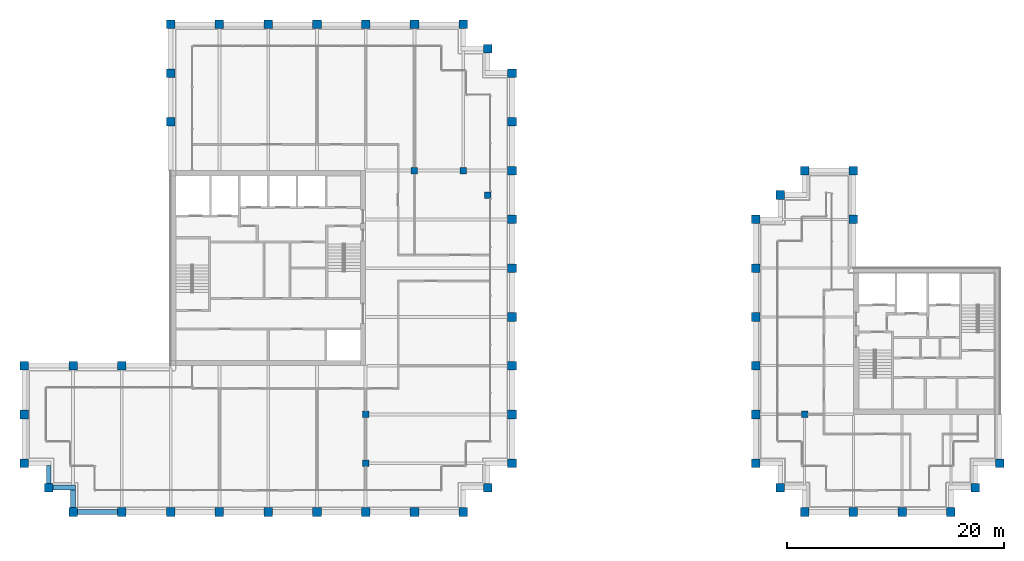
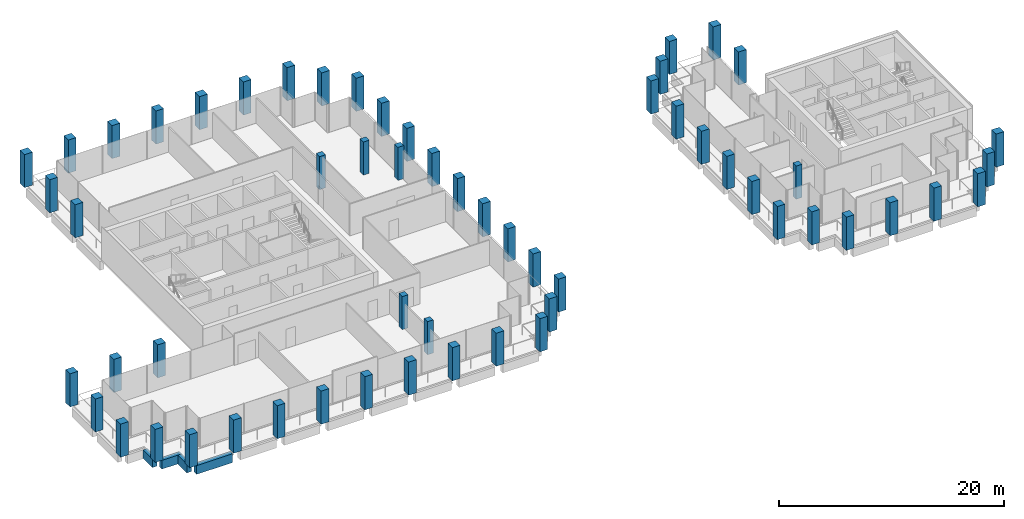
# One storey, part 1 of 40: 58 columns, 4 beams.
"""IFC4 building model written with IfcOpenShell, lengths in metres."""

from ifc_helpers import new_model, si_unit, direction, frame, origin, origin_2d, place, context, subcontext, project, spatial, rectangle, extrude, material, material_profile, profile_set, type_object, element, save


model = new_model("IFC4")

# Units and contexts
model_context = context("Model", 3, precision=1e-05, world=origin(), true_north=direction((0.0, 1.0)))
body_context = subcontext(model_context, "Body", "Model", "MODEL_VIEW")
ifc_project = project(units=[si_unit("LENGTHUNIT", "METRE"), si_unit("AREAUNIT", "SQUARE_METRE"), si_unit("VOLUMEUNIT", "CUBIC_METRE"), si_unit("PLANEANGLEUNIT", "RADIAN"), si_unit("MASSUNIT", "GRAM", prefix="KILO")], contexts=[model_context])

# Site, building, storey
site_placement = place(None, origin())
site = spatial("IfcSite", under=ifc_project, at=site_placement, CompositionType="ELEMENT")
building_placement = place(site_placement, origin())
building = spatial("IfcBuilding", under=site, at=building_placement, Name="Altepetl Exchange Towers", CompositionType="ELEMENT")
storey_placement = place(building_placement, frame((0.0, 0.0, 202.800048828125)))
storey = spatial("IfcBuildingStorey", under=building, at=storey_placement, Name="L51", CompositionType="ELEMENT", Elevation=202.800048828125)

# Columns
ifc_material_1 = material(Name="Concrete C70/85", Category="concrete")
ifc_material_profile_1 = material_profile(ifc_material_1, rectangle(XDim=0.60009765625, YDim=0.60009765625, at=origin_2d()), Name="600 x 600")
ifc_profile_set_1 = profile_set([ifc_material_profile_1], Name="Concrete C70/85")
column_type_1 = type_object("IfcColumnType", Name="Interior column 600", PredefinedType="COLUMN", material=ifc_profile_set_1)
for number, where, name in (
    (1, (58.5, 31.5, 0.0), "col:A:L51:035"),
    (2, (58.5, 36.0, 0.0), "col:A:L51:036"),
    (3, (63.0, 58.5, 0.0), "col:A:L51:037"),
    (4, (67.5, 58.5, 0.0), "col:A:L51:038"),
    (5, (69.75, 56.25, 0.0), "col:A:L51:039"),
    (6, (99.0, 36.0, 0.0), "col:B:L51:017"),
):
    element("IfcColumn", number, at=place(storey_placement, frame(where)), inside=storey, type_object=column_type_1, Name=name, PredefinedType="COLUMN", context=body_context, shape_type="SweptSolid", body=[
        extrude(rectangle(XDim=0.60009765625, YDim=0.60009765625, at=origin_2d()), origin(), (0.0, 0.0, 1.0), 3.599853515625),
    ])
ifc_material_2 = material(Name="Concrete C70/85 precast with cantera amarilla facing", Category="concrete")
ifc_material_profile_2 = material_profile(ifc_material_2, rectangle(XDim=0.800048828125, YDim=0.800048828125, at=origin_2d()), Name="800 x 800")
ifc_profile_set_2 = profile_set([ifc_material_profile_2], Name="Concrete C70/85 precast with cantera amarilla facing")
column_type_2 = type_object("IfcColumnType", Name="Perimeter column 800 cantera amarilla", PredefinedType="COLUMN", material=ifc_profile_set_2)
for number, where, name in (
    (7, (58.5, 27.0, 0.0), "col:A:L51:006"),
    (8, (63.0, 27.0, 0.0), "col:A:L51:007"),
    (9, (67.5, 27.0, 0.0), "col:A:L51:008"),
    (10, (69.75, 29.25, 0.0), "col:A:L51:009"),
    (11, (72.0, 31.5, 0.0), "col:A:L51:010"),
    (12, (72.0, 36.0, 0.0), "col:A:L51:011"),
    (13, (72.0, 40.5, 0.0), "col:A:L51:012"),
    (14, (72.0, 45.0, 0.0), "col:A:L51:013"),
    (15, (72.0, 49.5, 0.0), "col:A:L51:014"),
    (16, (72.0, 54.0, 0.0), "col:A:L51:015"),
):
    element("IfcColumn", number, at=place(storey_placement, frame(where)), inside=storey, type_object=column_type_2, Name=name, PredefinedType="COLUMN", context=body_context, shape_type="SweptSolid", body=[
        extrude(rectangle(XDim=0.800048828125, YDim=0.800048828125, at=origin_2d()), origin(), (0.0, 0.0, 1.0), 3.599853515625),
    ])
ifc_material_3 = material(Name="Concrete C70/85 precast with cantera blanca facing", Category="concrete")
ifc_material_profile_3 = material_profile(ifc_material_3, rectangle(XDim=0.800048828125, YDim=0.800048828125, at=origin_2d()), Name="800 x 800")
ifc_profile_set_3 = profile_set([ifc_material_profile_3], Name="Concrete C70/85 precast with cantera blanca facing")
column_type_3 = type_object("IfcColumnType", Name="Perimeter column 800 cantera blanca", PredefinedType="COLUMN", material=ifc_profile_set_3)
for number, where, name in (
    (17, (31.5, 27.0, 0.0), "col:A:L51:000"),
    (18, (36.0, 27.0, 0.0), "col:A:L51:001"),
    (19, (40.5, 27.0, 0.0), "col:A:L51:002"),
    (20, (45.0, 27.0, 0.0), "col:A:L51:003"),
    (21, (49.5, 27.0, 0.0), "col:A:L51:004"),
    (22, (54.0, 27.0, 0.0), "col:A:L51:005"),
    (23, (27.0, 36.0, 0.0), "col:A:L51:032"),
    (24, (27.0, 31.5, 0.0), "col:A:L51:033"),
    (25, (29.25, 29.25, 0.0), "col:A:L51:034"),
    (26, (117.0, 31.5, 0.0), "col:B:L51:005"),
):
    element("IfcColumn", number, at=place(storey_placement, frame(where)), inside=storey, type_object=column_type_3, Name=name, PredefinedType="COLUMN", context=body_context, shape_type="SweptSolid", body=[
        extrude(rectangle(XDim=0.800048828125, YDim=0.800048828125, at=origin_2d()), origin(), (0.0, 0.0, 1.0), 3.599853515625),
    ])
ifc_material_4 = material(Name="Concrete C70/85 precast with cantera rosa facing", Category="concrete")
ifc_material_profile_4 = material_profile(ifc_material_4, rectangle(XDim=0.800048828125, YDim=0.800048828125, at=origin_2d()), Name="800 x 800")
ifc_profile_set_4 = profile_set([ifc_material_profile_4], Name="Concrete C70/85 precast with cantera rosa facing")
column_type_4 = type_object("IfcColumnType", Name="Perimeter column 800 cantera rosa", PredefinedType="COLUMN", material=ifc_profile_set_4)
for number, where, name in (
    (27, (72.0, 58.5, 0.0), "col:A:L51:016"),
    (28, (72.0, 63.0, 0.0), "col:A:L51:017"),
    (29, (72.0, 67.5, 0.0), "col:A:L51:018"),
    (30, (69.75, 69.75, 0.0), "col:A:L51:019"),
    (31, (67.5, 72.0, 0.0), "col:A:L51:020"),
    (32, (63.0, 72.0, 0.0), "col:A:L51:021"),
    (33, (58.5, 72.0, 0.0), "col:A:L51:022"),
    (34, (54.0, 72.0, 0.0), "col:A:L51:023"),
    (35, (49.5, 72.0, 0.0), "col:A:L51:024"),
    (36, (45.0, 72.0, 0.0), "col:A:L51:025"),
    (37, (103.5, 54.0, 0.0), "col:B:L51:006"),
    (38, (103.5, 58.5, 0.0), "col:B:L51:007"),
    (39, (99.0, 58.5, 0.0), "col:B:L51:008"),
    (40, (96.75, 56.25, 0.0), "col:B:L51:009"),
    (41, (94.5, 54.0, 0.0), "col:B:L51:010"),
    (42, (94.5, 49.5, 0.0), "col:B:L51:011"),
    (43, (94.5, 45.0, 0.0), "col:B:L51:012"),
    (44, (94.5, 40.5, 0.0), "col:B:L51:013"),
    (45, (94.5, 36.0, 0.0), "col:B:L51:014"),
):
    element("IfcColumn", number, at=place(storey_placement, frame(where)), inside=storey, type_object=column_type_4, Name=name, PredefinedType="COLUMN", context=body_context, shape_type="SweptSolid", body=[
        extrude(rectangle(XDim=0.800048828125, YDim=0.800048828125, at=origin_2d()), origin(), (0.0, 0.0, 1.0), 3.599853515625),
    ])
ifc_material_5 = material(Name="Concrete C70/85 precast with tezontle facing", Category="concrete")
ifc_material_profile_5 = material_profile(ifc_material_5, rectangle(XDim=0.800048828125, YDim=0.800048828125, at=origin_2d()), Name="800 x 800")
ifc_profile_set_5 = profile_set([ifc_material_profile_5], Name="Concrete C70/85 precast with tezontle facing")
column_type_5 = type_object("IfcColumnType", Name="Perimeter column 800 tezontle", PredefinedType="COLUMN", material=ifc_profile_set_5)
for number, where, name in (
    (46, (40.5, 72.0, 0.0), "col:A:L51:026"),
    (47, (40.5, 67.5, 0.0), "col:A:L51:027"),
    (48, (40.5, 63.0, 0.0), "col:A:L51:028"),
    (49, (36.0, 40.5, 0.0), "col:A:L51:029"),
    (50, (31.5, 40.5, 0.0), "col:A:L51:030"),
    (51, (27.0, 40.5, 0.0), "col:A:L51:031"),
    (52, (99.0, 27.0, 0.0), "col:B:L51:000"),
    (53, (103.5, 27.0, 0.0), "col:B:L51:001"),
    (54, (108.0, 27.0, 0.0), "col:B:L51:002"),
    (55, (112.5, 27.0, 0.0), "col:B:L51:003"),
    (56, (114.75, 29.25, 0.0), "col:B:L51:004"),
    (57, (94.5, 31.5, 0.0), "col:B:L51:015"),
    (58, (96.75, 29.25, 0.0), "col:B:L51:016"),
):
    element("IfcColumn", number, at=place(storey_placement, frame(where)), inside=storey, type_object=column_type_5, Name=name, PredefinedType="COLUMN", context=body_context, shape_type="SweptSolid", body=[
        extrude(rectangle(XDim=0.800048828125, YDim=0.800048828125, at=origin_2d()), origin(), (0.0, 0.0, 1.0), 3.599853515625),
    ])

# Beams
ifc_material_6 = material(Name="Concrete C50/60 precast with cantera blanca facing", Category="concrete")
ifc_material_profile_6 = material_profile(ifc_material_6, rectangle(XDim=0.449951171875, YDim=0.949951171875, at=origin_2d()), Name="450 x 950")
ifc_profile_set_6 = profile_set([ifc_material_profile_6], Name="Concrete C50/60 precast with cantera blanca facing")
beam_type = type_object("IfcBeamType", Name="Spandrel beam 450x950 cantera blanca", PredefinedType="SPANDREL", material=ifc_profile_set_6)
beam_1_placement = place(storey_placement, frame((31.89990234375, 27.0, -0.625), z_axis=(1.0, 0.0, 0.0), x_axis=(0.0, 1.0, 0.0)))
element("IfcBeam", 59, at=beam_1_placement, inside=storey, type_object=beam_type, Name="sp:A:L51:000", PredefinedType="SPANDREL", context=body_context, shape_type="SweptSolid", body=[
    extrude(rectangle(XDim=0.449951171875, YDim=0.949951171875, at=origin_2d()), origin(), (0.0, 0.0, 1.0), 3.7001953125),
])
beam_2_placement = place(storey_placement, frame((29.25, 31.27490234375, -0.625), z_axis=(0.0, -1.0, 0.0), x_axis=(1.0, 0.0, 0.0)))
element("IfcBeam", 60, at=beam_2_placement, inside=storey, type_object=beam_type, Name="sp:A:L51:039", PredefinedType="SPANDREL", context=body_context, shape_type="SweptSolid", body=[
    extrude(rectangle(XDim=0.449951171875, YDim=0.949951171875, at=origin_2d()), origin(), (0.0, 0.0, 1.0), 1.625),
])
beam_3_placement = place(storey_placement, frame((29.64990234375, 29.25, -0.625), z_axis=(1.0, 0.0, 0.0), x_axis=(0.0, 1.0, 0.0)))
element("IfcBeam", 61, at=beam_3_placement, inside=storey, type_object=beam_type, Name="sp:A:L51:040", PredefinedType="SPANDREL", context=body_context, shape_type="SweptSolid", body=[
    extrude(rectangle(XDim=0.449951171875, YDim=0.949951171875, at=origin_2d()), origin(), (0.0, 0.0, 1.0), 2.0751953125),
])
beam_4_placement = place(storey_placement, frame((31.5, 29.02490234375, -0.625), z_axis=(0.0, -1.0, 0.0), x_axis=(1.0, 0.0, 0.0)))
element("IfcBeam", 62, at=beam_4_placement, inside=storey, type_object=beam_type, Name="sp:A:L51:041", PredefinedType="SPANDREL", context=body_context, shape_type="SweptSolid", body=[
    extrude(rectangle(XDim=0.449951171875, YDim=0.949951171875, at=origin_2d()), origin(), (0.0, 0.0, 1.0), 1.625),
])

save(model, "model.ifc")
